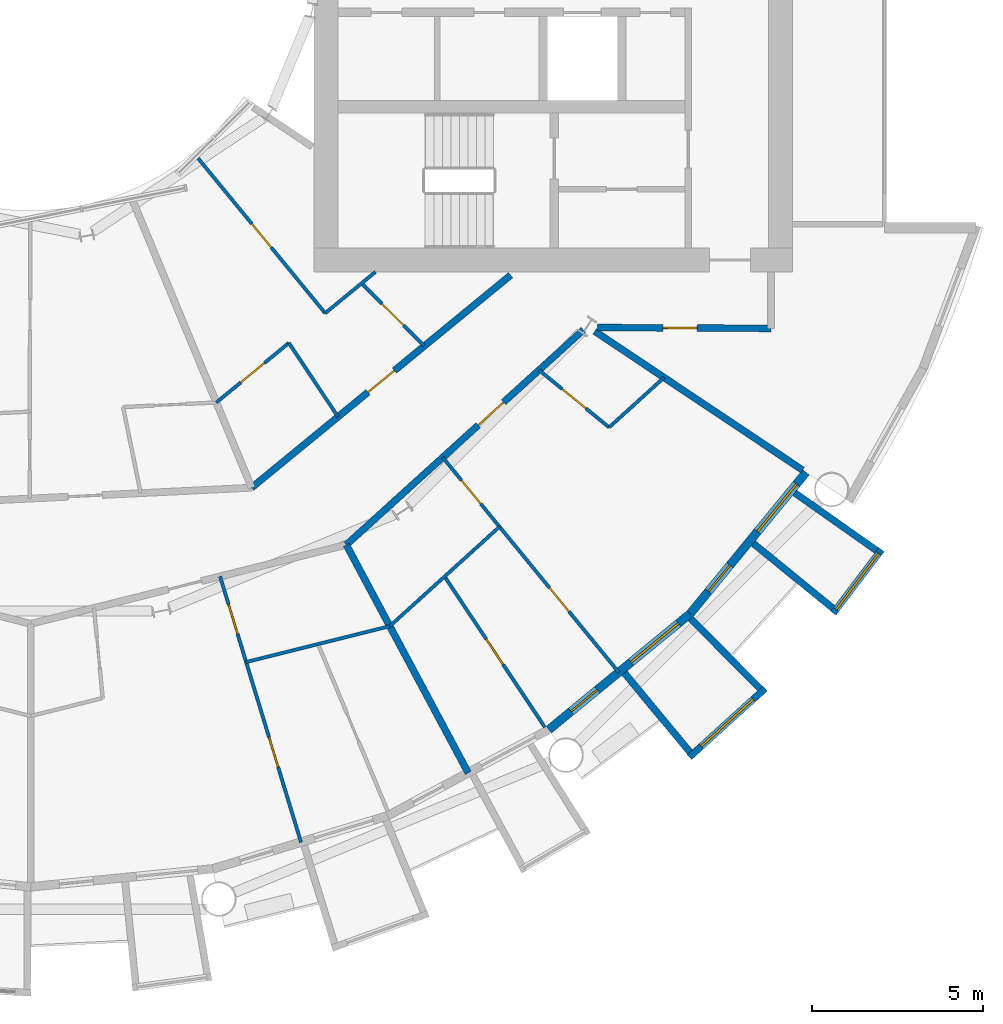
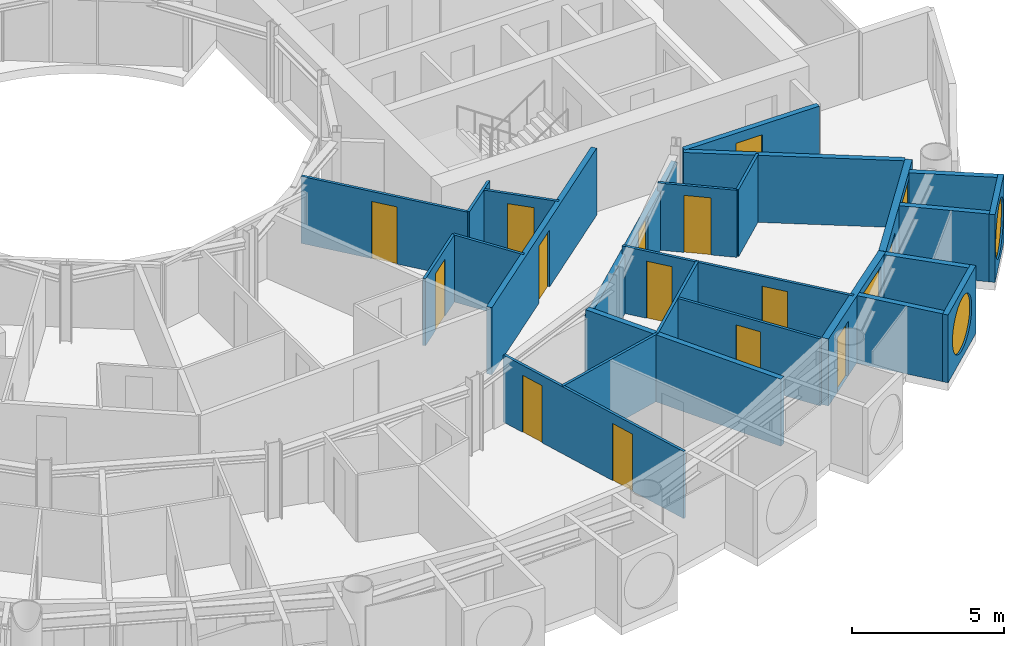
# One storey, part 16 of 26: 25 walls, 14 doors, 4 windows, 18 openings.
"""IFC4 building model written with IfcOpenShell, lengths in metres."""

from ifc_helpers import new_model, si_unit, direction, frame, frame_2d, origin, place, context, subcontext, project, spatial, rectangle, circle, extrude, material, layer, layer_set, type_object, element, fill, save


model = new_model("IFC4")

# Units and contexts
model_context = context("Model", 3, precision=1e-05, world=origin(), true_north=direction((0.0, 1.0)))
body_context = subcontext(model_context, "Body", "Model", "MODEL_VIEW")
ifc_project = project(units=[si_unit("LENGTHUNIT", "METRE"), si_unit("AREAUNIT", "SQUARE_METRE"), si_unit("VOLUMEUNIT", "CUBIC_METRE"), si_unit("PLANEANGLEUNIT", "RADIAN"), si_unit("MASSUNIT", "GRAM", prefix="KILO")], contexts=[model_context])

# Site, building, storey
site_placement = place(None, origin())
site = spatial("IfcSite", under=ifc_project, at=site_placement, CompositionType="ELEMENT")
building_placement = place(site_placement, origin())
building = spatial("IfcBuilding", under=site, at=building_placement, Name="Maasbend Ring Residences", CompositionType="ELEMENT")
storey_placement = place(building_placement, frame((0.0, 0.0, 84.949951171875)))
storey = spatial("IfcBuildingStorey", under=building, at=storey_placement, Name="L24", CompositionType="ELEMENT", Elevation=84.949951171875)

# Wall, opening, door
ifc_material_1 = material(Name="Concrete C30/37", Category="concrete")
ifc_layer_1 = layer(ifc_material_1, 0.199951171875)
ifc_layer_set_1 = layer_set([ifc_layer_1], Name="Concrete C30/37")
wall_type_1 = type_object("IfcWallType", Name="CORRIDOR WALL 200 CONCRETE", PredefinedType="PARTITIONING", material=ifc_layer_set_1)
wall_1_placement = place(storey_placement, frame((9.239013671875, -17.285888671875, 0.0), z_axis=(0.0, 0.0, 1.0), x_axis=(0.740909940942, 0.671604392044, 0.0)))
wall_1 = element("IfcWall", 1, at=wall_1_placement, inside=storey, type_object=wall_type_1, Name="U-L24-w014", PredefinedType="PARTITIONING", context=body_context, shape_type="SweptSolid", body=[
    extrude(rectangle(XDim=9.36669921875, YDim=0.199951171875, at=frame_2d((4.683349609375, 0.0))), origin(), (0.0, 0.0, 1.0), 2.380126953125),
])
opening_1_placement = place(wall_1_placement, frame((5.215087890625, 0.0, 0.0)))
opening_1 = element("IfcOpeningElement", 2, at=opening_1_placement, cuts=wall_1, Name="Opening D-2448", PredefinedType="OPENING", context=body_context, shape_type="SweptSolid", body=[
    extrude(rectangle(XDim=1.0, YDim=2.300048828125, at=frame_2d((0.5, 1.14990234375))), frame((0.0, 0.10986328125, 0.0), z_axis=(0.0, -1.0, 0.0), x_axis=(1.0, 0.0, 0.0)), (0.0, 0.0, 1.0), 0.219970703125),
])
ifc_material_2 = material(Name="Timber, fire-rated, painted", Category="wood")
door_type_1 = type_object("IfcDoorType", Name="FLAT ENTRANCE DOOR 1000 X 2300 FIRE-RATED", OperationType="NOTDEFINED", PredefinedType="DOOR", material=ifc_material_2)
door_1_placement = place(opening_1_placement, origin())
door_1 = element("IfcDoor", 3, at=door_1_placement, inside=storey, type_object=door_type_1, Name="D-2448", OperationType="SINGLE_SWING_RIGHT", OverallHeight=2.300048828125, OverallWidth=1.0, PredefinedType="DOOR", context=body_context, shape_type="SweptSolid", body=[
    extrude(rectangle(XDim=1.0, YDim=2.300048828125, at=frame_2d((0.5, 1.14990234375))), frame((0.0, 0.02490234375, 0.0), z_axis=(0.0, -1.0, 0.0), x_axis=(1.0, 0.0, 0.0)), (0.0, 0.0, 1.0), 0.050048828125),
])
fill(opening_1, door_1)

wall_2_placement = place(storey_placement, frame((6.467041015625, -15.614013671875, 0.0), z_axis=(0.0, 0.0, 1.0), x_axis=(0.773074935257, 0.634314704605, 0.0)))
wall_2 = element("IfcWall", 4, at=wall_2_placement, inside=storey, type_object=wall_type_1, Name="U-L24-w015", PredefinedType="PARTITIONING", context=body_context, shape_type="SweptSolid", body=[
    extrude(rectangle(XDim=9.808837890625, YDim=0.199951171875, at=frame_2d((4.904296875, 0.0))), origin(), (0.0, 0.0, 1.0), 2.699951171875),
])
opening_2_placement = place(wall_2_placement, frame((4.406982421875, 0.0, 0.0)))
opening_2 = element("IfcOpeningElement", 5, at=opening_2_placement, cuts=wall_2, Name="Opening D-2461", PredefinedType="OPENING", context=body_context, shape_type="SweptSolid", body=[
    extrude(rectangle(XDim=1.0, YDim=2.300048828125, at=frame_2d((0.5, 1.14990234375))), frame((0.0, 0.10986328125, 0.0), z_axis=(0.0, -1.0, 0.0), x_axis=(1.0, 0.0, 0.0)), (0.0, 0.0, 1.0), 0.219970703125),
])
door_2_placement = place(opening_2_placement, origin())
door_2 = element("IfcDoor", 6, at=door_2_placement, inside=storey, type_object=door_type_1, Name="D-2461", OperationType="SINGLE_SWING_RIGHT", OverallHeight=2.300048828125, OverallWidth=1.0, PredefinedType="DOOR", context=body_context, shape_type="SweptSolid", body=[
    extrude(rectangle(XDim=1.0, YDim=2.300048828125, at=frame_2d((0.5, 1.14990234375))), frame((0.0, 0.02490234375, 0.0), z_axis=(0.0, -1.0, 0.0), x_axis=(1.0, 0.0, 0.0)), (0.0, 0.0, 1.0), 0.050048828125),
])
fill(opening_2, door_2)

wall_3_placement = place(storey_placement, frame((16.587890625, -10.925048828125, 0.0), z_axis=(0.0, 0.0, 1.0), x_axis=(0.999988019025, -0.004895079807, 0.0)))
wall_3 = element("IfcWall", 7, at=wall_3_placement, inside=storey, type_object=wall_type_1, Name="U-L24-w025", PredefinedType="PARTITIONING", context=body_context, shape_type="SweptSolid", body=[
    extrude(rectangle(XDim=5.087158203125, YDim=0.199951171875, at=frame_2d((2.54345703125, 0.0))), origin(), (0.0, 0.0, 1.0), 2.699951171875),
])
opening_3_placement = place(wall_3_placement, frame((1.925048828125, 0.0, 0.0)))
opening_3 = element("IfcOpeningElement", 8, at=opening_3_placement, cuts=wall_3, Name="Opening D-2467", PredefinedType="OPENING", context=body_context, shape_type="SweptSolid", body=[
    extrude(rectangle(XDim=1.0, YDim=2.300048828125, at=frame_2d((0.5, 1.14990234375))), frame((0.0, 0.10986328125, 0.0), z_axis=(0.0, -1.0, 0.0), x_axis=(1.0, 0.0, 0.0)), (0.0, 0.0, 1.0), 0.219970703125),
])
ifc_material_3 = material(Name="Timber, painted", Category="wood")
door_type_2 = type_object("IfcDoorType", Name="ROOM DOOR 1000 X 2300", OperationType="NOTDEFINED", PredefinedType="DOOR", material=ifc_material_3)
door_3_placement = place(opening_3_placement, origin())
door_3 = element("IfcDoor", 9, at=door_3_placement, inside=storey, type_object=door_type_2, Name="D-2467", OperationType="SINGLE_SWING_LEFT", OverallHeight=2.300048828125, OverallWidth=1.0, PredefinedType="DOOR", context=body_context, shape_type="SweptSolid", body=[
    extrude(rectangle(XDim=1.0, YDim=2.300048828125, at=frame_2d((0.5, 1.14990234375))), frame((0.0, 0.02490234375, 0.0), z_axis=(0.0, -1.0, 0.0), x_axis=(1.0, 0.0, 0.0)), (0.0, 0.0, 1.0), 0.050048828125),
])
fill(opening_3, door_3)

# Wall, opening, window
ifc_material_4 = material(Name="Pale anodised aluminium panel", Category="aluminium")
ifc_layer_2 = layer(ifc_material_4, 0.199951171875)
ifc_layer_set_2 = layer_set([ifc_layer_2], Name="EW-BOX")
wall_type_2 = type_object("IfcWallType", Name="EW-BOX", PredefinedType="SOLIDWALL", material=ifc_layer_set_2)
wall_4_placement = place(storey_placement, frame((19.281982421875, -23.5029296875, -0.030029296875), z_axis=(0.0, 0.0, 1.0), x_axis=(0.740998365753, 0.671506829416, 0.0)))
wall_4 = element("IfcWall", 10, at=wall_4_placement, inside=storey, type_object=wall_type_2, Name="Box front S18", PredefinedType="SOLIDWALL", context=body_context, shape_type="SweptSolid", body=[
    extrude(rectangle(XDim=2.9931640625, YDim=0.199951171875, at=frame_2d((1.49658203125, 0.0))), origin(), (0.0, 0.0, 1.0), 2.72998046875),
])
opening_4_placement = place(wall_4_placement, frame((0.45654296875, 0.0, 0.330078125)))
opening_4 = element("IfcOpeningElement", 11, at=opening_4_placement, cuts=wall_4, Name="Opening W-RD", PredefinedType="OPENING", context=body_context, shape_type="SweptSolid", body=[
    extrude(circle(Radius=1.0400390625, at=frame_2d((1.0400390625, 1.0400390625))), frame((0.0, 0.10986328125, 0.0), z_axis=(0.0, -1.0, 0.0), x_axis=(1.0, 0.0, 0.0)), (0.0, 0.0, 1.0), 0.219970703125),
])
ifc_material_5 = material(Name="Aluminium and clear glass", Category="aluminium")
window_type_1 = type_object("IfcWindowType", Name="W-RD", PartitioningType="SINGLE_PANEL", PredefinedType="WINDOW", material=ifc_material_5)
window_1_placement = place(opening_4_placement, origin())
window_1 = element("IfcWindow", 12, at=window_1_placement, inside=storey, type_object=window_type_1, Name="Round window S18", OverallHeight=2.080078125, OverallWidth=2.080078125, PartitioningType="SINGLE_PANEL", PredefinedType="WINDOW", context=body_context, shape_type="SweptSolid", body=[
    extrude(circle(Radius=1.0400390625, at=frame_2d((1.0400390625, 1.0400390625))), frame((0.0, 0.030029296875, 0.0), z_axis=(0.0, -1.0, 0.0), x_axis=(1.0, 0.0, 0.0)), (0.0, 0.0, 1.0), 0.06005859375),
])
fill(opening_4, window_1)

# Walls
wall_5_placement = place(storey_placement, frame((17.384033203125, -21.041015625, -0.030029296875), z_axis=(0.0, 0.0, 1.0), x_axis=(0.63709551667, -0.770784861449, 0.0)))
element("IfcWall", 13, at=wall_5_placement, inside=storey, type_object=wall_type_2, Name="Box side wall S18 left", PredefinedType="SOLIDWALL", context=body_context, shape_type="SweptSolid", body=[
    extrude(rectangle(XDim=3.005859375, YDim=0.199951171875, at=frame_2d((1.5029296875, 0.0))), origin(), (0.0, 0.0, 1.0), 2.72998046875),
])
wall_6_placement = place(storey_placement, frame((19.322998046875, -19.449951171875, -0.030029296875), z_axis=(0.0, 0.0, 1.0), x_axis=(0.704476739375, -0.709727076896, 0.0)))
element("IfcWall", 14, at=wall_6_placement, inside=storey, type_object=wall_type_2, Name="Box side wall S18 right", PredefinedType="SOLIDWALL", context=body_context, shape_type="SweptSolid", body=[
    extrude(rectangle(XDim=2.883056640625, YDim=0.199951171875, at=frame_2d((1.44140625, 0.0))), origin(), (0.0, 0.0, 1.0), 2.72998046875),
])

# Wall, opening, window
wall_7_placement = place(storey_placement, frame((23.4970703125, -19.2890625, -0.030029296875), z_axis=(0.0, 0.0, 1.0), x_axis=(0.60418752353, 0.796842165306, 0.0)))
wall_7 = element("IfcWall", 15, at=wall_7_placement, inside=storey, type_object=wall_type_2, Name="Box front S20", PredefinedType="SOLIDWALL", context=body_context, shape_type="SweptSolid", body=[
    extrude(rectangle(XDim=2.3369140625, YDim=0.199951171875, at=frame_2d((1.16845703125, 0.0))), origin(), (0.0, 0.0, 1.0), 2.72998046875),
])
opening_5_placement = place(wall_7_placement, frame((0.128173828125, 0.0, 0.330078125)))
opening_5 = element("IfcOpeningElement", 16, at=opening_5_placement, cuts=wall_7, Name="Opening W-RD", PredefinedType="OPENING", context=body_context, shape_type="SweptSolid", body=[
    extrude(circle(Radius=1.0400390625, at=frame_2d((1.0400390625, 1.0400390625))), frame((0.0, 0.10986328125, 0.0), z_axis=(0.0, -1.0, 0.0), x_axis=(1.0, 0.0, 0.0)), (0.0, 0.0, 1.0), 0.219970703125),
])
window_2_placement = place(opening_5_placement, origin())
window_2 = element("IfcWindow", 17, at=window_2_placement, inside=storey, type_object=window_type_1, Name="Round window S20", OverallHeight=2.080078125, OverallWidth=2.080078125, PartitioningType="SINGLE_PANEL", PredefinedType="WINDOW", context=body_context, shape_type="SweptSolid", body=[
    extrude(circle(Radius=1.0400390625, at=frame_2d((1.0400390625, 1.0400390625))), frame((0.0, 0.030029296875, 0.0), z_axis=(0.0, -1.0, 0.0), x_axis=(1.0, 0.0, 0.0)), (0.0, 0.0, 1.0), 0.06005859375),
])
fill(opening_5, window_2)

# Walls
wall_8_placement = place(storey_placement, frame((21.155029296875, -17.24609375, -0.030029296875), z_axis=(0.0, 0.0, 1.0), x_axis=(0.775179004516, -0.631741648902, 0.0)))
element("IfcWall", 18, at=wall_8_placement, inside=storey, type_object=wall_type_2, Name="Box side wall S20 left", PredefinedType="SOLIDWALL", context=body_context, shape_type="SweptSolid", body=[
    extrude(rectangle(XDim=3.005859375, YDim=0.199951171875, at=frame_2d((1.5029296875, 0.0))), origin(), (0.0, 0.0, 1.0), 2.72998046875),
])
wall_9_placement = place(storey_placement, frame((22.3701171875, -15.764892578125, -0.030029296875), z_axis=(0.0, 0.0, 1.0), x_axis=(0.817256123454, -0.576274612209, 0.0)))
element("IfcWall", 19, at=wall_9_placement, inside=storey, type_object=wall_type_2, Name="Box side wall S20 right", PredefinedType="SOLIDWALL", context=body_context, shape_type="SweptSolid", body=[
    extrude(rectangle(XDim=2.932861328125, YDim=0.199951171875, at=frame_2d((1.46630859375, 0.0))), origin(), (0.0, 0.0, 1.0), 2.72998046875),
])

# Wall, openings, door, window
ifc_material_6 = material(Name="Aluminium clad insulated panel", Category="aluminium")
ifc_layer_3 = layer(ifc_material_6, 0.25)
ifc_layer_set_3 = layer_set([ifc_layer_3], Name="EW-GL")
wall_type_3 = type_object("IfcWallType", Name="EW-GL", PredefinedType="SOLIDWALL", material=ifc_layer_set_3)
wall_10_placement = place(storey_placement, frame((15.1669921875, -22.698974609375, 0.0), z_axis=(0.0, 0.0, 1.0), x_axis=(0.773019449054, 0.634382322723, 0.0)))
wall_10 = element("IfcWall", 20, at=wall_10_placement, inside=storey, type_object=wall_type_3, Name="External wall S09", PredefinedType="SOLIDWALL", context=body_context, shape_type="SweptSolid", body=[
    extrude(rectangle(XDim=5.351806640625, YDim=0.25, at=frame_2d((2.67578125, 0.0))), origin(), (0.0, 0.0, 1.0), 2.699951171875),
])
opening_6_placement = place(wall_10_placement, frame((0.841064453125, 0.0, 0.0)))
opening_6 = element("IfcOpeningElement", 21, at=opening_6_placement, cuts=wall_10, Name="Opening D-LG", PredefinedType="OPENING", context=body_context, shape_type="SweptSolid", body=[
    extrude(rectangle(XDim=1.0, YDim=2.199951171875, at=frame_2d((0.5, 1.10009765625))), frame((0.0, 0.135009765625, 0.0), z_axis=(0.0, -1.0, 0.0), x_axis=(1.0, 0.0, 0.0)), (0.0, 0.0, 1.0), 0.27001953125),
])
opening_7_placement = place(wall_10_placement, frame((3.110595703125, 0.0, 0.300048828125)))
opening_7 = element("IfcOpeningElement", 22, at=opening_7_placement, cuts=wall_10, Name="Opening W-BX", PredefinedType="OPENING", context=body_context, shape_type="SweptSolid", body=[
    extrude(rectangle(XDim=1.800048828125, YDim=2.10009765625, at=frame_2d((0.89990234375, 1.050048828125))), frame((0.0, 0.135009765625, 0.0), z_axis=(0.0, -1.0, 0.0), x_axis=(1.0, 0.0, 0.0)), (0.0, 0.0, 1.0), 0.27001953125),
])
ifc_material_7 = material(Name="Aluminium and clear glass", Category="aluminium")
door_type_3 = type_object("IfcDoorType", Name="D-LG", OperationType="SINGLE_SWING_LEFT", PredefinedType="DOOR", material=ifc_material_7)
door_4_placement = place(opening_6_placement, origin())
door_4 = element("IfcDoor", 23, at=door_4_placement, inside=storey, type_object=door_type_3, Name="Loggia door S17", OperationType="SINGLE_SWING_LEFT", OverallHeight=2.199951171875, OverallWidth=1.0, PredefinedType="DOOR", context=body_context, shape_type="SweptSolid", body=[
    extrude(rectangle(XDim=1.0, YDim=2.199951171875, at=frame_2d((0.5, 1.10009765625))), frame((0.0, 0.02490234375, 0.0), z_axis=(0.0, -1.0, 0.0), x_axis=(1.0, 0.0, 0.0)), (0.0, 0.0, 1.0), 0.050048828125),
])
fill(opening_6, door_4)
ifc_material_8 = material(Name="Aluminium and clear glass", Category="aluminium")
window_type_2 = type_object("IfcWindowType", Name="W-BX", PartitioningType="DOUBLE_PANEL_VERTICAL", PredefinedType="WINDOW", material=ifc_material_8)
window_3_placement = place(opening_7_placement, origin())
window_3 = element("IfcWindow", 24, at=window_3_placement, inside=storey, type_object=window_type_2, Name="Window S18 room to box", OverallHeight=2.10009765625, OverallWidth=1.800048828125, PartitioningType="SINGLE_PANEL", PredefinedType="WINDOW", context=body_context, shape_type="SweptSolid", body=[
    extrude(rectangle(XDim=1.800048828125, YDim=2.10009765625, at=frame_2d((0.89990234375, 1.050048828125))), frame((0.0, 0.030029296875, 0.0), z_axis=(0.0, -1.0, 0.0), x_axis=(1.0, 0.0, 0.0)), (0.0, 0.0, 1.0), 0.06005859375),
])
fill(opening_7, window_3)

wall_11_placement = place(storey_placement, frame((19.303955078125, -19.303955078125, 0.0), z_axis=(0.0, 0.0, 1.0), x_axis=(0.634382322723, 0.773019449054, 0.0)))
wall_11 = element("IfcWall", 25, at=wall_11_placement, inside=storey, type_object=wall_type_3, Name="External wall S10", PredefinedType="SOLIDWALL", context=body_context, shape_type="SweptSolid", body=[
    extrude(rectangle(XDim=5.351806640625, YDim=0.25, at=frame_2d((2.67578125, 0.0))), origin(), (0.0, 0.0, 1.0), 2.699951171875),
])
opening_8_placement = place(wall_11_placement, frame((0.841064453125, 0.0, 0.0)))
opening_8 = element("IfcOpeningElement", 26, at=opening_8_placement, cuts=wall_11, Name="Opening D-LG", PredefinedType="OPENING", context=body_context, shape_type="SweptSolid", body=[
    extrude(rectangle(XDim=1.0, YDim=2.199951171875, at=frame_2d((0.5, 1.10009765625))), frame((0.0, 0.135009765625, 0.0), z_axis=(0.0, -1.0, 0.0), x_axis=(1.0, 0.0, 0.0)), (0.0, 0.0, 1.0), 0.27001953125),
])
opening_9_placement = place(wall_11_placement, frame((3.110595703125, 0.0, 0.300048828125)))
opening_9 = element("IfcOpeningElement", 27, at=opening_9_placement, cuts=wall_11, Name="Opening W-BX", PredefinedType="OPENING", context=body_context, shape_type="SweptSolid", body=[
    extrude(rectangle(XDim=1.800048828125, YDim=2.10009765625, at=frame_2d((0.89990234375, 1.050048828125))), frame((0.0, 0.135009765625, 0.0), z_axis=(0.0, -1.0, 0.0), x_axis=(1.0, 0.0, 0.0)), (0.0, 0.0, 1.0), 0.27001953125),
])
door_5_placement = place(opening_8_placement, origin())
door_5 = element("IfcDoor", 28, at=door_5_placement, inside=storey, type_object=door_type_3, Name="Loggia door S19", OperationType="SINGLE_SWING_LEFT", OverallHeight=2.199951171875, OverallWidth=1.0, PredefinedType="DOOR", context=body_context, shape_type="SweptSolid", body=[
    extrude(rectangle(XDim=1.0, YDim=2.199951171875, at=frame_2d((0.5, 1.10009765625))), frame((0.0, 0.02490234375, 0.0), z_axis=(0.0, -1.0, 0.0), x_axis=(1.0, 0.0, 0.0)), (0.0, 0.0, 1.0), 0.050048828125),
])
fill(opening_8, door_5)
window_4_placement = place(opening_9_placement, origin())
window_4 = element("IfcWindow", 29, at=window_4_placement, inside=storey, type_object=window_type_2, Name="Window S20 room to box", OverallHeight=2.10009765625, OverallWidth=1.800048828125, PartitioningType="SINGLE_PANEL", PredefinedType="WINDOW", context=body_context, shape_type="SweptSolid", body=[
    extrude(rectangle(XDim=1.800048828125, YDim=2.10009765625, at=frame_2d((0.89990234375, 1.050048828125))), frame((0.0, 0.030029296875, 0.0), z_axis=(0.0, -1.0, 0.0), x_axis=(1.0, 0.0, 0.0)), (0.0, 0.0, 1.0), 0.06005859375),
])
fill(opening_9, window_4)

# Walls
ifc_material_9 = material(Name="Gypsum board on steel studs", Category="steel")
ifc_layer_4 = layer(ifc_material_9, 0.10009765625)
ifc_layer_set_4 = layer_set([ifc_layer_4], Name="PARTITION 100 GYPSUM")
wall_type_4 = type_object("IfcWallType", Name="PARTITION 100 GYPSUM", PredefinedType="PARTITIONING", material=ifc_layer_set_4)
wall_12_placement = place(storey_placement, frame((6.302978515625, -20.720947265625, 0.0), z_axis=(0.0, 0.0, 1.0), x_axis=(0.97005315629, 0.242892721118, 0.0)))
element("IfcWall", 30, at=wall_12_placement, inside=storey, type_object=wall_type_4, Name="U-L24-w008", PredefinedType="PARTITIONING", context=body_context, shape_type="SweptSolid", body=[
    extrude(rectangle(XDim=4.34326171875, YDim=0.10009765625, at=frame_2d((2.171630859375, 0.0))), origin(), (0.0, 0.0, 1.0), 2.699951171875),
])
wall_13_placement = place(storey_placement, frame((10.512939453125, -19.66796875, 0.0), z_axis=(0.0, 0.0, 1.0), x_axis=(0.74092137325, 0.671591779775, 0.0)))
element("IfcWall", 31, at=wall_13_placement, inside=storey, type_object=wall_type_4, Name="U-L24-w009", PredefinedType="PARTITIONING", context=body_context, shape_type="SweptSolid", body=[
    extrude(rectangle(XDim=4.342041015625, YDim=0.10009765625, at=frame_2d((2.1708984375, 0.0))), origin(), (0.0, 0.0, 1.0), 2.699951171875),
])
wall_14_placement = place(storey_placement, frame((16.93603515625, -13.844970703125, 0.0), z_axis=(0.0, 0.0, 1.0), x_axis=(0.740836325503, 0.671685595212, 0.0)))
element("IfcWall", 32, at=wall_14_placement, inside=storey, type_object=wall_type_4, Name="U-L24-w010", PredefinedType="PARTITIONING", context=body_context, shape_type="SweptSolid", body=[
    extrude(rectangle(XDim=2.167724609375, YDim=0.10009765625, at=frame_2d((1.083984375, 0.0))), origin(), (0.0, 0.0, 1.0), 2.699951171875),
])

# Wall, opening, door
wall_15_placement = place(storey_placement, frame((5.43408203125, -13.118896484375, 0.0), z_axis=(0.0, 0.0, 1.0), x_axis=(0.773049907698, 0.634345205868, 0.0)))
wall_15 = element("IfcWall", 33, at=wall_15_placement, inside=storey, type_object=wall_type_4, Name="U-L24-w018", PredefinedType="PARTITIONING", context=body_context, shape_type="SweptSolid", body=[
    extrude(rectangle(XDim=2.74755859375, YDim=0.10009765625, at=frame_2d((1.373779296875, 0.0))), origin(), (0.0, 0.0, 1.0), 2.699951171875),
])
opening_10_placement = place(wall_15_placement, frame((0.924072265625, 0.0, 0.0)))
opening_10 = element("IfcOpeningElement", 34, at=opening_10_placement, cuts=wall_15, Name="Opening D-2462", PredefinedType="OPENING", context=body_context, shape_type="SweptSolid", body=[
    extrude(rectangle(XDim=0.89990234375, YDim=2.300048828125, at=frame_2d((0.449951171875, 1.14990234375))), frame((0.0, 0.06005859375, 0.0), z_axis=(0.0, -1.0, 0.0), x_axis=(1.0, 0.0, 0.0)), (0.0, 0.0, 1.0), 0.1201171875),
])
ifc_material_10 = material(Name="Timber, painted", Category="wood")
door_type_4 = type_object("IfcDoorType", Name="INTERNAL DOOR 900 X 2300", OperationType="NOTDEFINED", PredefinedType="DOOR", material=ifc_material_10)
door_6_placement = place(opening_10_placement, origin())
door_6 = element("IfcDoor", 35, at=door_6_placement, inside=storey, type_object=door_type_4, Name="D-2462", OperationType="SINGLE_SWING_RIGHT", OverallHeight=2.300048828125, OverallWidth=0.89990234375, PredefinedType="DOOR", context=body_context, shape_type="SweptSolid", body=[
    extrude(rectangle(XDim=0.89990234375, YDim=2.300048828125, at=frame_2d((0.449951171875, 1.14990234375))), frame((0.0, 0.02490234375, 0.0), z_axis=(0.0, -1.0, 0.0), x_axis=(1.0, 0.0, 0.0)), (0.0, 0.0, 1.0), 0.050048828125),
])
fill(opening_10, door_6)

# Wall
wall_16_placement = place(storey_placement, frame((8.6201171875, -10.5048828125, 0.0), z_axis=(0.0, 0.0, 1.0), x_axis=(0.772957368531, 0.6344579627, 0.0)))
element("IfcWall", 36, at=wall_16_placement, inside=storey, type_object=wall_type_4, Name="U-L24-w019", PredefinedType="PARTITIONING", context=body_context, shape_type="SweptSolid", body=[
    extrude(rectangle(XDim=1.905517578125, YDim=0.10009765625, at=frame_2d((0.95263671875, 0.0))), origin(), (0.0, 0.0, 1.0), 2.699951171875),
])

# Wall, opening, door
wall_17_placement = place(storey_placement, frame((4.89794921875, -5.968017578125, 0.0), z_axis=(0.0, 0.0, 1.0), x_axis=(0.634358693064, -0.773038840249, 0.0)))
wall_17 = element("IfcWall", 37, at=wall_17_placement, inside=storey, type_object=wall_type_4, Name="U-L24-w063", PredefinedType="PARTITIONING", context=body_context, shape_type="SweptSolid", body=[
    extrude(rectangle(XDim=5.86767578125, YDim=0.10009765625, at=frame_2d((2.933837890625, 0.0))), origin(), (0.0, 0.0, 1.0), 2.699951171875),
])
opening_11_placement = place(wall_17_placement, frame((2.48388671875, 0.0, 0.0)))
opening_11 = element("IfcOpeningElement", 38, at=opening_11_placement, cuts=wall_17, Name="Opening D-2464", PredefinedType="OPENING", context=body_context, shape_type="SweptSolid", body=[
    extrude(rectangle(XDim=0.89990234375, YDim=2.300048828125, at=frame_2d((0.449951171875, 1.14990234375))), frame((0.0, 0.06005859375, 0.0), z_axis=(0.0, -1.0, 0.0), x_axis=(1.0, 0.0, 0.0)), (0.0, 0.0, 1.0), 0.1201171875),
])
door_7_placement = place(opening_11_placement, origin())
door_7 = element("IfcDoor", 39, at=door_7_placement, inside=storey, type_object=door_type_4, Name="D-2464", OperationType="SINGLE_SWING_LEFT", OverallHeight=2.300048828125, OverallWidth=0.89990234375, PredefinedType="DOOR", context=body_context, shape_type="SweptSolid", body=[
    extrude(rectangle(XDim=0.89990234375, YDim=2.300048828125, at=frame_2d((0.449951171875, 1.14990234375))), frame((0.0, 0.02490234375, 0.0), z_axis=(0.0, -1.0, 0.0), x_axis=(1.0, 0.0, 0.0)), (0.0, 0.0, 1.0), 0.050048828125),
])
fill(opening_11, door_7)

# Wall, openings, doors
wall_18_placement = place(storey_placement, frame((5.54296875, -18.2109375, 0.0), z_axis=(0.0, 0.0, 1.0), x_axis=(0.291319167605, -0.956625915698, 0.0)))
wall_18 = element("IfcWall", 40, at=wall_18_placement, inside=storey, type_object=wall_type_4, Name="U-L24-w065", PredefinedType="PARTITIONING", context=body_context, shape_type="SweptSolid", body=[
    extrude(rectangle(XDim=8.13916015625, YDim=0.10009765625, at=frame_2d((4.069580078125, 0.0))), origin(), (0.0, 0.0, 1.0), 2.699951171875),
])
opening_12_placement = place(wall_18_placement, frame((0.862060546875, 0.0, 0.0)))
opening_12 = element("IfcOpeningElement", 41, at=opening_12_placement, cuts=wall_18, Name="Opening D-2445", PredefinedType="OPENING", context=body_context, shape_type="SweptSolid", body=[
    extrude(rectangle(XDim=0.89990234375, YDim=2.300048828125, at=frame_2d((0.449951171875, 1.14990234375))), frame((0.0, 0.06005859375, 0.0), z_axis=(0.0, -1.0, 0.0), x_axis=(1.0, 0.0, 0.0)), (0.0, 0.0, 1.0), 0.1201171875),
])
opening_13_placement = place(wall_18_placement, frame((4.930908203125, 0.0, 0.0)))
opening_13 = element("IfcOpeningElement", 42, at=opening_13_placement, cuts=wall_18, Name="Opening D-2446", PredefinedType="OPENING", context=body_context, shape_type="SweptSolid", body=[
    extrude(rectangle(XDim=0.89990234375, YDim=2.300048828125, at=frame_2d((0.449951171875, 1.14990234375))), frame((0.0, 0.06005859375, 0.0), z_axis=(0.0, -1.0, 0.0), x_axis=(1.0, 0.0, 0.0)), (0.0, 0.0, 1.0), 0.1201171875),
])
door_8_placement = place(opening_12_placement, origin())
door_8 = element("IfcDoor", 43, at=door_8_placement, inside=storey, type_object=door_type_4, Name="D-2445", OperationType="SINGLE_SWING_LEFT", OverallHeight=2.300048828125, OverallWidth=0.89990234375, PredefinedType="DOOR", context=body_context, shape_type="SweptSolid", body=[
    extrude(rectangle(XDim=0.89990234375, YDim=2.300048828125, at=frame_2d((0.449951171875, 1.14990234375))), frame((0.0, 0.02490234375, 0.0), z_axis=(0.0, -1.0, 0.0), x_axis=(1.0, 0.0, 0.0)), (0.0, 0.0, 1.0), 0.050048828125),
])
fill(opening_12, door_8)
door_9_placement = place(opening_13_placement, origin())
door_9 = element("IfcDoor", 44, at=door_9_placement, inside=storey, type_object=door_type_4, Name="D-2446", OperationType="SINGLE_SWING_RIGHT", OverallHeight=2.300048828125, OverallWidth=0.89990234375, PredefinedType="DOOR", context=body_context, shape_type="SweptSolid", body=[
    extrude(rectangle(XDim=0.89990234375, YDim=2.300048828125, at=frame_2d((0.449951171875, 1.14990234375))), frame((0.0, 0.02490234375, 0.0), z_axis=(0.0, -1.0, 0.0), x_axis=(1.0, 0.0, 0.0)), (0.0, 0.0, 1.0), 0.050048828125),
])
fill(opening_13, door_9)

# Wall
wall_19_placement = place(storey_placement, frame((7.55810546875, -11.3759765625, 0.0), z_axis=(0.0, 0.0, 1.0), x_axis=(0.553615197403, -0.83277260594, 0.0)))
element("IfcWall", 45, at=wall_19_placement, inside=storey, type_object=wall_type_4, Name="U-L24-w067", PredefinedType="PARTITIONING", context=body_context, shape_type="SweptSolid", body=[
    extrude(rectangle(XDim=2.597412109375, YDim=0.10009765625, at=frame_2d((1.298828125, 0.0))), origin(), (0.0, 0.0, 1.0), 2.699951171875),
])

# Wall, opening, door
wall_20_placement = place(storey_placement, frame((9.68310546875, -9.632080078125, 0.0), z_axis=(0.0, 0.0, 1.0), x_axis=(0.708796844581, -0.705412668665, 0.0)))
wall_20 = element("IfcWall", 46, at=wall_20_placement, inside=storey, type_object=wall_type_4, Name="U-L24-w072", PredefinedType="PARTITIONING", context=body_context, shape_type="SweptSolid", body=[
    extrude(rectangle(XDim=2.59716796875, YDim=0.10009765625, at=frame_2d((1.298583984375, 0.0))), origin(), (0.0, 0.0, 1.0), 2.699951171875),
])
opening_14_placement = place(wall_20_placement, frame((0.84912109375, 0.0, 0.0)))
opening_14 = element("IfcOpeningElement", 47, at=opening_14_placement, cuts=wall_20, Name="Opening D-2463", PredefinedType="OPENING", context=body_context, shape_type="SweptSolid", body=[
    extrude(rectangle(XDim=0.89990234375, YDim=2.300048828125, at=frame_2d((0.449951171875, 1.14990234375))), frame((0.0, 0.06005859375, 0.0), z_axis=(0.0, -1.0, 0.0), x_axis=(1.0, 0.0, 0.0)), (0.0, 0.0, 1.0), 0.1201171875),
])
door_10_placement = place(opening_14_placement, origin())
door_10 = element("IfcDoor", 48, at=door_10_placement, inside=storey, type_object=door_type_4, Name="D-2463", OperationType="SINGLE_SWING_RIGHT", OverallHeight=2.300048828125, OverallWidth=0.89990234375, PredefinedType="DOOR", context=body_context, shape_type="SweptSolid", body=[
    extrude(rectangle(XDim=0.89990234375, YDim=2.300048828125, at=frame_2d((0.449951171875, 1.14990234375))), frame((0.0, 0.02490234375, 0.0), z_axis=(0.0, -1.0, 0.0), x_axis=(1.0, 0.0, 0.0)), (0.0, 0.0, 1.0), 0.050048828125),
])
fill(opening_14, door_10)

# Wall, openings, doors
wall_21_placement = place(storey_placement, frame((12.06201171875, -14.72705078125, 0.0), z_axis=(0.0, 0.0, 1.0), x_axis=(0.633664062855, -0.773608334654, 0.0)))
wall_21 = element("IfcWall", 49, at=wall_21_placement, inside=storey, type_object=wall_type_4, Name="U-L24-w075", PredefinedType="PARTITIONING", context=body_context, shape_type="SweptSolid", body=[
    extrude(rectangle(XDim=8.138427734375, YDim=0.10009765625, at=frame_2d((4.0693359375, 0.0))), origin(), (0.0, 0.0, 1.0), 2.699951171875),
])
opening_15_placement = place(wall_21_placement, frame((0.861083984375, 0.0, 0.0)))
opening_15 = element("IfcOpeningElement", 50, at=opening_15_placement, cuts=wall_21, Name="Opening D-2450", PredefinedType="OPENING", context=body_context, shape_type="SweptSolid", body=[
    extrude(rectangle(XDim=0.89990234375, YDim=2.300048828125, at=frame_2d((0.449951171875, 1.14990234375))), frame((0.0, 0.06005859375, 0.0), z_axis=(0.0, -1.0, 0.0), x_axis=(1.0, 0.0, 0.0)), (0.0, 0.0, 1.0), 0.1201171875),
])
opening_16_placement = place(wall_21_placement, frame((4.930908203125, 0.0, 0.0)))
opening_16 = element("IfcOpeningElement", 51, at=opening_16_placement, cuts=wall_21, Name="Opening D-2451", PredefinedType="OPENING", context=body_context, shape_type="SweptSolid", body=[
    extrude(rectangle(XDim=0.89990234375, YDim=2.300048828125, at=frame_2d((0.449951171875, 1.14990234375))), frame((0.0, 0.06005859375, 0.0), z_axis=(0.0, -1.0, 0.0), x_axis=(1.0, 0.0, 0.0)), (0.0, 0.0, 1.0), 0.1201171875),
])
door_11_placement = place(opening_15_placement, origin())
door_11 = element("IfcDoor", 52, at=door_11_placement, inside=storey, type_object=door_type_4, Name="D-2450", OperationType="SINGLE_SWING_LEFT", OverallHeight=2.300048828125, OverallWidth=0.89990234375, PredefinedType="DOOR", context=body_context, shape_type="SweptSolid", body=[
    extrude(rectangle(XDim=0.89990234375, YDim=2.300048828125, at=frame_2d((0.449951171875, 1.14990234375))), frame((0.0, 0.02490234375, 0.0), z_axis=(0.0, -1.0, 0.0), x_axis=(1.0, 0.0, 0.0)), (0.0, 0.0, 1.0), 0.050048828125),
])
fill(opening_15, door_11)
door_12_placement = place(opening_16_placement, origin())
door_12 = element("IfcDoor", 53, at=door_12_placement, inside=storey, type_object=door_type_4, Name="D-2451", OperationType="SINGLE_SWING_RIGHT", OverallHeight=2.300048828125, OverallWidth=0.89990234375, PredefinedType="DOOR", context=body_context, shape_type="SweptSolid", body=[
    extrude(rectangle(XDim=0.89990234375, YDim=2.300048828125, at=frame_2d((0.449951171875, 1.14990234375))), frame((0.0, 0.02490234375, 0.0), z_axis=(0.0, -1.0, 0.0), x_axis=(1.0, 0.0, 0.0)), (0.0, 0.0, 1.0), 0.050048828125),
])
fill(opening_16, door_12)

# Wall, opening, door
wall_22_placement = place(storey_placement, frame((12.114990234375, -18.212890625, 0.0), z_axis=(0.0, 0.0, 1.0), x_axis=(0.553913391217, -0.832574294, 0.0)))
wall_22 = element("IfcWall", 54, at=wall_22_placement, inside=storey, type_object=wall_type_4, Name="U-L24-w076", PredefinedType="PARTITIONING", context=body_context, shape_type="SweptSolid", body=[
    extrude(rectangle(XDim=5.300537109375, YDim=0.10009765625, at=frame_2d((2.650390625, 0.0))), origin(), (0.0, 0.0, 1.0), 2.699951171875),
])
opening_17_placement = place(wall_22_placement, frame((2.199951171875, 0.0, 0.0)))
opening_17 = element("IfcOpeningElement", 55, at=opening_17_placement, cuts=wall_22, Name="Opening D-2452", PredefinedType="OPENING", context=body_context, shape_type="SweptSolid", body=[
    extrude(rectangle(XDim=0.89990234375, YDim=2.300048828125, at=frame_2d((0.449951171875, 1.14990234375))), frame((0.0, 0.06005859375, 0.0), z_axis=(0.0, -1.0, 0.0), x_axis=(1.0, 0.0, 0.0)), (0.0, 0.0, 1.0), 0.1201171875),
])
door_13_placement = place(opening_17_placement, origin())
door_13 = element("IfcDoor", 56, at=door_13_placement, inside=storey, type_object=door_type_4, Name="D-2452", OperationType="SINGLE_SWING_LEFT", OverallHeight=2.300048828125, OverallWidth=0.89990234375, PredefinedType="DOOR", context=body_context, shape_type="SweptSolid", body=[
    extrude(rectangle(XDim=0.89990234375, YDim=2.300048828125, at=frame_2d((0.449951171875, 1.14990234375))), frame((0.0, 0.02490234375, 0.0), z_axis=(0.0, -1.0, 0.0), x_axis=(1.0, 0.0, 0.0)), (0.0, 0.0, 1.0), 0.050048828125),
])
fill(opening_17, door_13)

wall_23_placement = place(storey_placement, frame((14.882080078125, -12.1708984375, 0.0), z_axis=(0.0, 0.0, 1.0), x_axis=(0.774162545943, -0.632986850147, 0.0)))
wall_23 = element("IfcWall", 57, at=wall_23_placement, inside=storey, type_object=wall_type_4, Name="U-L24-w078", PredefinedType="PARTITIONING", context=body_context, shape_type="SweptSolid", body=[
    extrude(rectangle(XDim=2.6494140625, YDim=0.10009765625, at=frame_2d((1.32470703125, 0.0))), origin(), (0.0, 0.0, 1.0), 2.699951171875),
])
opening_18_placement = place(wall_23_placement, frame((0.875, 0.0, 0.0)))
opening_18 = element("IfcOpeningElement", 58, at=opening_18_placement, cuts=wall_23, Name="Opening D-2449", PredefinedType="OPENING", context=body_context, shape_type="SweptSolid", body=[
    extrude(rectangle(XDim=0.89990234375, YDim=2.300048828125, at=frame_2d((0.449951171875, 1.14990234375))), frame((0.0, 0.06005859375, 0.0), z_axis=(0.0, -1.0, 0.0), x_axis=(1.0, 0.0, 0.0)), (0.0, 0.0, 1.0), 0.1201171875),
])
door_14_placement = place(opening_18_placement, origin())
door_14 = element("IfcDoor", 59, at=door_14_placement, inside=storey, type_object=door_type_4, Name="D-2449", OperationType="SINGLE_SWING_RIGHT", OverallHeight=2.300048828125, OverallWidth=0.89990234375, PredefinedType="DOOR", context=body_context, shape_type="SweptSolid", body=[
    extrude(rectangle(XDim=0.89990234375, YDim=2.300048828125, at=frame_2d((0.449951171875, 1.14990234375))), frame((0.0, 0.02490234375, 0.0), z_axis=(0.0, -1.0, 0.0), x_axis=(1.0, 0.0, 0.0)), (0.0, 0.0, 1.0), 0.050048828125),
])
fill(opening_18, door_14)

# Walls
ifc_material_11 = material(Name="Concrete C30/37", Category="concrete")
ifc_layer_5 = layer(ifc_material_11, 0.199951171875)
ifc_layer_set_5 = layer_set([ifc_layer_5], Name="Concrete C30/37")
wall_type_5 = type_object("IfcWallType", Name="PARTY WALL 200 CONCRETE", PredefinedType="PARTITIONING", material=ifc_layer_set_5)
wall_24_placement = place(storey_placement, frame((9.239013671875, -17.285888671875, 0.0), z_axis=(0.0, 0.0, 1.0), x_axis=(0.471439510802, -0.881898399848, 0.0)))
element("IfcWall", 60, at=wall_24_placement, inside=storey, type_object=wall_type_5, Name="U-L24-w070", PredefinedType="PARTITIONING", context=body_context, shape_type="SweptSolid", body=[
    extrude(rectangle(XDim=7.57470703125, YDim=0.199951171875, at=frame_2d((3.787353515625, 0.0))), origin(), (0.0, 0.0, 1.0), 2.699951171875),
])
wall_25_placement = place(storey_placement, frame((16.514892578125, -11.034912109375, 0.0), z_axis=(0.0, 0.0, 1.0), x_axis=(0.831505405283, -0.555516661303, 0.0)))
element("IfcWall", 61, at=wall_25_placement, inside=storey, type_object=wall_type_5, Name="U-L24-w079", PredefinedType="PARTITIONING", context=body_context, shape_type="SweptSolid", body=[
    extrude(rectangle(XDim=7.31201171875, YDim=0.199951171875, at=frame_2d((3.656005859375, 0.0))), origin(), (0.0, 0.0, 1.0), 2.699951171875),
])

save(model, "model.ifc")
